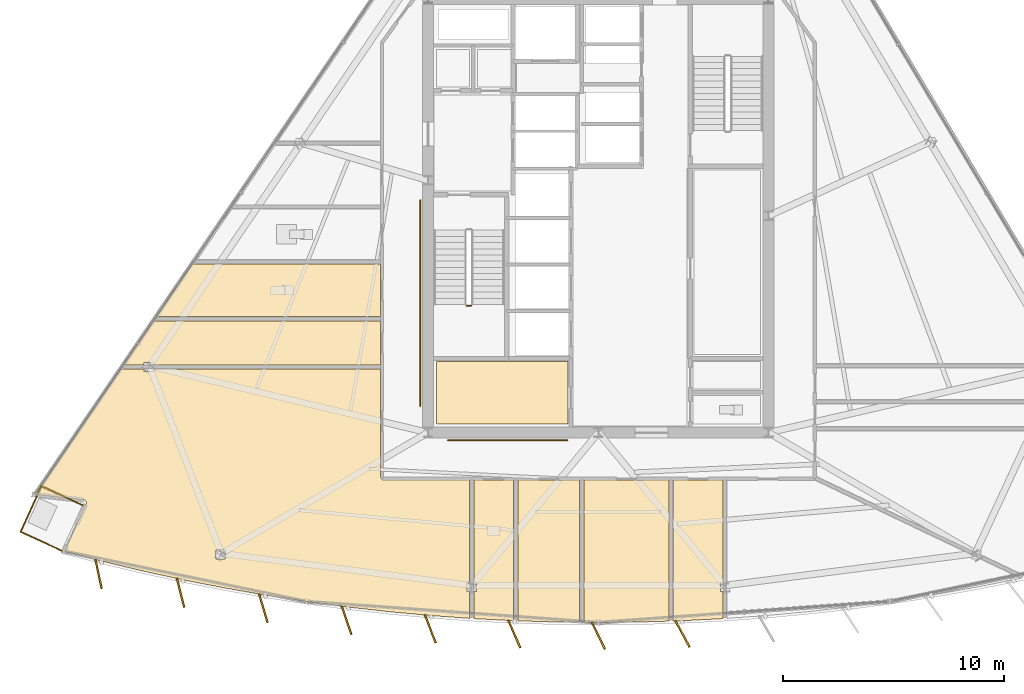
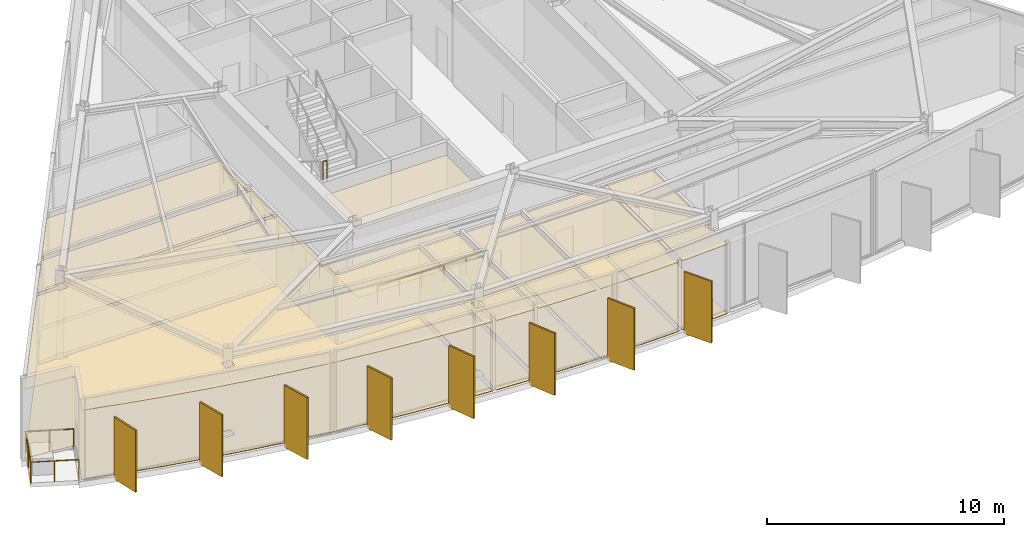
# One storey, part 10 of 13: 16 coverings, 8 shading devices, 6 railings.
"""IFC4 building model written with IfcOpenShell, lengths in metres."""

import ifcopenshell
import ifcopenshell.guid

model = None  # the IFC model being written
_history = None  # IfcOwnerHistory: only IFC2X3 demands one
_inside = {}  # id of a spatial element -> (the spatial element, [elements in it])
_under = {}  # id of a project, library or spatial element -> (it, [spatial elements below it])
_declared = {}  # id of a project -> (the project, [libraries it declares])
_typed = {}  # id of a type object -> (the type object, [elements of that type])
_made_of = {}  # id of a material, layer set ... -> (it, [elements and type objects made of it])


def new_model(schema):
    """Start an empty IFC model of exactly this schema.

    Asked for "IFC4X3", IfcOpenShell would pick the latest addendum, in which some entities
    have other attributes; the version numbers below select the first issue.
    IFC2X3 requires an IfcOwnerHistory on every rooted entity: one is made here for all.
    """
    global model, _history
    if schema == "IFC4X3":
        model = ifcopenshell.file(schema_version=(4, 3, 0, 0))
    else:
        model = ifcopenshell.file(schema=schema)
    _inside.clear()
    _under.clear()
    _declared.clear()
    _typed.clear()
    _made_of.clear()
    _history = None
    if model.schema == "IFC2X3":
        org = make("IfcOrganization", Name="unknown")
        user = make(
            "IfcPersonAndOrganization",
            ThePerson=make("IfcPerson", FamilyName="unknown"),
            TheOrganization=org,
        )
        app = make(
            "IfcApplication",
            ApplicationDeveloper=org,
            Version="unknown",
            ApplicationFullName="unknown",
            ApplicationIdentifier="unknown",
        )
        _history = make(
            "IfcOwnerHistory",
            OwningUser=user,
            OwningApplication=app,
            ChangeAction="ADDED",
            CreationDate=0,
        )
    return model


def make(cls, **values):
    """One entity of the class cls with the attributes given. An attribute that is None is left unset."""
    return model.create_entity(
        cls, **{name: value for name, value in values.items() if value is not None}
    )


def rooted(cls, **values):
    """An entity with a GlobalId (a new one), such as an element, a storey or a relation."""
    return make(cls, GlobalId=ifcopenshell.guid.new(), OwnerHistory=_history, **values)


def si_unit(unit_type, name, prefix=None):
    """IfcSIUnit, for example si_unit("LENGTHUNIT", "METRE", prefix="MILLI")."""
    return make("IfcSIUnit", UnitType=unit_type, Prefix=prefix, Name=name)


def assignment(units):
    """IfcUnitAssignment: the units of a project."""
    return None if units is None else make("IfcUnitAssignment", Units=units)


def point(xyz):
    """IfcCartesianPoint."""
    return None if xyz is None else make("IfcCartesianPoint", Coordinates=xyz)


def direction(xyz):
    """IfcDirection."""
    return None if xyz is None else make("IfcDirection", DirectionRatios=xyz)


def frame(location, z_axis=None, x_axis=None):
    """IfcAxis2Placement3D, a coordinate frame: its origin and axes. An axis left out is left unset."""
    return make(
        "IfcAxis2Placement3D",
        Location=point(location),
        Axis=direction(z_axis),
        RefDirection=direction(x_axis),
    )


def frame_2d(location, x_axis=None):
    """IfcAxis2Placement2D, a coordinate frame in the plane: its origin and x axis."""
    return make(
        "IfcAxis2Placement2D", Location=point(location), RefDirection=direction(x_axis)
    )


def origin():
    """The frame at (0, 0, 0) with its axes left unset."""
    return frame((0.0, 0.0, 0.0))


def origin_2d():
    """The frame at (0, 0) in the plane with its x axis left unset."""
    return frame_2d((0.0, 0.0))


def place(relative_to, where):
    """IfcLocalPlacement: puts the frame where relative to a parent placement (None: the world)."""
    return make(
        "IfcLocalPlacement", PlacementRelTo=relative_to, RelativePlacement=where
    )


def context(
    kind, dimensions, precision=None, world=None, true_north=None, identifier=None
):
    """IfcGeometricRepresentationContext, for example the 3D "Model" context."""
    return make(
        "IfcGeometricRepresentationContext",
        ContextIdentifier=identifier,
        ContextType=kind,
        CoordinateSpaceDimension=dimensions,
        Precision=precision,
        WorldCoordinateSystem=world,
        TrueNorth=true_north,
    )


def subcontext(parent, identifier, kind, view, scale=None):
    """IfcGeometricRepresentationSubContext, for example "Body" below "Model"."""
    return make(
        "IfcGeometricRepresentationSubContext",
        ContextIdentifier=identifier,
        ContextType=kind,
        ParentContext=parent,
        TargetScale=scale,
        TargetView=view,
    )


def project(units=None, contexts=None):
    """IfcProject with its units and contexts."""
    return rooted(
        "IfcProject",
        Name="project",
        RepresentationContexts=contexts,
        UnitsInContext=assignment(units),
    )


def spatial(cls, under=None, at=None, **own):
    """A site, building, storey or space (cls), placed at a placement, below another one or the project."""
    s = rooted(cls, ObjectPlacement=at, **own)
    if under is not None:
        _under.setdefault(under.id(), (under, []))[1].append(s)
    return s


def polyline(points):
    """IfcPolyline through the points."""
    return make("IfcPolyline", Points=[point(p) for p in points])


def profile(cls, at=None, kind="AREA", **sizes):
    """A parametric profile (cls). Its sizes go by their IFC names, for example OverallWidth=200.0."""
    return make(cls, ProfileType=kind, Position=at, **sizes)


def rectangle(**sizes):
    """IfcRectangleProfileDef."""
    return profile("IfcRectangleProfileDef", **sizes)


def circle(**sizes):
    """IfcCircleProfileDef."""
    return profile("IfcCircleProfileDef", **sizes)


def outline(outer, holes=None, kind="AREA"):
    """IfcArbitraryClosedProfileDef: a profile drawn as a closed curve; with holes, ...WithVoids."""
    if holes is None:
        return make("IfcArbitraryClosedProfileDef", ProfileType=kind, OuterCurve=outer)
    return make(
        "IfcArbitraryProfileDefWithVoids",
        ProfileType=kind,
        OuterCurve=outer,
        InnerCurves=holes,
    )


def extrude(swept, where, along, depth):
    """IfcExtrudedAreaSolid: the profile swept, set in the frame where, extruded along a direction by depth."""
    return make(
        "IfcExtrudedAreaSolid",
        SweptArea=swept,
        Position=where,
        ExtrudedDirection=direction(along),
        Depth=depth,
    )


def shape(context_of_items, identifier, shape_type, items):
    """IfcShapeRepresentation: the items that make up one representation, for example the "Body"."""
    return make(
        "IfcShapeRepresentation",
        ContextOfItems=context_of_items,
        RepresentationIdentifier=identifier,
        RepresentationType=shape_type,
        Items=items,
    )


def material(Name=None, Category=None):
    """IfcMaterial."""
    return make("IfcMaterial", Name=Name, Category=Category)


def layer(
    of_material, thickness, ventilated=None, Name=None, Category=None, Priority=None
):
    """IfcMaterialLayer: one layer of a wall or slab, of a material (None: an air gap)."""
    return make(
        "IfcMaterialLayer",
        Material=of_material,
        LayerThickness=thickness,
        IsVentilated=ventilated,
        Name=Name,
        Category=Category,
        Priority=Priority,
    )


def layer_set(layers, Name=None):
    """IfcMaterialLayerSet."""
    return make("IfcMaterialLayerSet", MaterialLayers=layers, LayerSetName=Name)


def made_of(thing, what):
    """Note that an element or type object is made of a material, layer set ...; save() writes the relation."""
    if what is not None:
        _made_of.setdefault(what.id(), (what, []))[1].append(thing)
    return thing


def type_object(cls, material=None, **own):
    """A type object (cls), such as IfcWallType, which elements share."""
    return made_of(rooted(cls, **own), material)


def element(
    cls,
    number,
    at=None,
    inside=None,
    cuts=None,
    type_object=None,
    material=None,
    context=None,
    identifier="Body",
    shape_type=None,
    held_by="IfcProductDefinitionShape",
    body=None,
    shapes=None,
    **own,
):
    """One element of the class cls, such as IfcWall. Its Tag is "e" and its number.

    at: its placement. inside: the storey or other place that contains it. cuts: it is an
    opening in that element (IfcRelVoidsElement). A single representation is given by context,
    identifier, shape_type and body (its items); several are given by shapes. held_by: the class
    of the entity that holds the representations. save() writes the other relations.
    """
    e = rooted(cls, Tag="e%d" % number, ObjectPlacement=at, **own)
    if body is not None:
        shapes = [shape(context, identifier, shape_type, body)]
    if shapes is not None:
        e.Representation = make(held_by, Representations=shapes)
    if inside is not None:
        _inside.setdefault(inside.id(), (inside, []))[1].append(e)
    if cuts is not None:
        rooted(
            "IfcRelVoidsElement", RelatingBuildingElement=cuts, RelatedOpeningElement=e
        )
    if type_object is not None:
        _typed.setdefault(type_object.id(), (type_object, []))[1].append(e)
    return made_of(e, material)


def aggregate(whole, parts):
    """IfcRelAggregates: a whole, such as a stair, and the parts it consists of."""
    return rooted("IfcRelAggregates", RelatingObject=whole, RelatedObjects=parts)


def save(model, path):
    """Write the relations noted so far, then the file.

    IfcRelAggregates (storeys below a building ...), IfcRelContainedInSpatialStructure (elements
    in a storey), IfcRelDefinesByType, IfcRelAssociatesMaterial and IfcRelDeclares: one each for
    every whole, place, type object, material and project.
    """
    for whole, parts in _under.values():
        aggregate(whole, parts)
    for where, things in _inside.values():
        rooted(
            "IfcRelContainedInSpatialStructure",
            RelatedElements=things,
            RelatingStructure=where,
        )
    for kind, things in _typed.values():
        rooted("IfcRelDefinesByType", RelatedObjects=things, RelatingType=kind)
    for what, things in _made_of.values():
        rooted("IfcRelAssociatesMaterial", RelatedObjects=things, RelatingMaterial=what)
    for by, libraries in _declared.values():
        rooted("IfcRelDeclares", RelatingContext=by, RelatedDefinitions=libraries)
    model.write(path)


model = new_model("IFC4")

# Units and contexts
model_context = context("Model", 3, precision=1e-05, world=origin(), true_north=direction((0.0, 1.0)))
body_context = subcontext(model_context, "Body", "Model", "MODEL_VIEW")
ifc_project = project(units=[si_unit("LENGTHUNIT", "METRE"), si_unit("AREAUNIT", "SQUARE_METRE"), si_unit("VOLUMEUNIT", "CUBIC_METRE"), si_unit("PLANEANGLEUNIT", "RADIAN"), si_unit("MASSUNIT", "GRAM", prefix="KILO")], contexts=[model_context])

# Site, building, storey
site_placement = place(None, origin())
site = spatial("IfcSite", under=ifc_project, at=site_placement, CompositionType="ELEMENT")
building_placement = place(site_placement, origin())
building = spatial("IfcBuilding", under=site, at=building_placement, Name="Savorim Split Tower", CompositionType="ELEMENT")
storey_placement = place(building_placement, frame((0.0, 0.0, 190.199951171875)))
storey = spatial("IfcBuildingStorey", under=building, at=storey_placement, Name="L50", CompositionType="ELEMENT", Elevation=190.199951171875)

# Coverings
ifc_material_1 = material(Name="Mineral Fibre Acoustic Ceiling")
ifc_layer_1 = layer(ifc_material_1, 0.02490234375)
ifc_layer_set_1 = layer_set([ifc_layer_1], Name="COV-CEIL-25")
covering_type_1 = type_object("IfcCoveringType", Name="COV-CEIL-25", PredefinedType="CEILING", material=ifc_layer_set_1)
covering_1_placement = place(storey_placement, frame((0.0, 0.0, 3.570068359375)))
element("IfcCovering", 1, at=covering_1_placement, inside=storey, type_object=covering_type_1, Name="L50 Housekeeping Store Acoustic Ceiling", PredefinedType="CEILING", context=body_context, shape_type="SweptSolid", body=[
    extrude(outline(polyline([(-7.320068359375, -6.179931640625), (-7.320068359375, -9.02001953125), (-1.3798828125, -9.02001953125), (-1.3798828125, -6.179931640625), (-7.320068359375, -6.179931640625)])), origin(), (0.0, 0.0, 1.0), 0.02490234375),
])
covering_2_placement = place(storey_placement, frame((0.0, 0.0, 3.570068359375)))
element("IfcCovering", 2, at=covering_2_placement, inside=storey, type_object=covering_type_1, Name="L50 Accessible WC Acoustic Ceiling", PredefinedType="CEILING", context=body_context, shape_type="SweptSolid", body=[
    extrude(outline(polyline([(-18.34814453125, -1.768798828125), (-19.97265625, -4.15673828125), (-9.840087890625, -4.15673828125), (-9.840087890625, -1.768798828125), (-18.34814453125, -1.768798828125)])), origin(), (0.0, 0.0, 1.0), 0.02490234375),
])
covering_3_placement = place(storey_placement, frame((0.0, 0.0, 3.570068359375)))
element("IfcCovering", 3, at=covering_3_placement, inside=storey, type_object=covering_type_1, Name="L50 Sky Lobby Acoustic Ceiling", PredefinedType="CEILING", context=body_context, shape_type="SweptSolid", body=[
    extrude(outline(polyline([(-20.130615234375, -6.22607421875), (-20.130615234375, -6.334716796875), (-9.840087890625, -6.334716796875), (-9.840087890625, -4.3466796875), (-20.10205078125, -4.3466796875), (-21.454345703125, -6.334716796875), (-20.548583984375, -6.334716796875), (-20.548583984375, -6.22607421875), (-20.130615234375, -6.22607421875)])), origin(), (0.0, 0.0, 1.0), 0.02490234375),
])
covering_4_placement = place(storey_placement, frame((0.0, 0.0, 3.570068359375)))
element("IfcCovering", 4, at=covering_4_placement, inside=storey, type_object=covering_type_1, Name="L50 Co-Working Commons Acoustic Ceiling", PredefinedType="CEILING", context=body_context, shape_type="SweptSolid", body=[
    extrude(outline(polyline([(-23.142822265625, -12.572998046875), (-23.143798828125, -12.5849609375), (-23.14599609375, -12.5966796875), (-23.149169921875, -12.608154296875), (-23.15380859375, -12.619384765625), (-24.1416015625, -14.769775390625), (-22.450439453125, -15.2119140625), (-20.61279296875, -15.652587890625), (-18.7666015625, -16.055419921875), (-16.912353515625, -16.420654296875), (-15.051025390625, -16.74755859375), (-13.18359375, -17.03662109375), (-11.310302734375, -17.287109375), (-9.4326171875, -17.49951171875), (-7.55078125, -17.673095703125), (-5.819091796875, -17.79736328125), (-5.819091796875, -16.581787109375), (-5.93310546875, -16.581787109375), (-5.93310546875, -16.1748046875), (-5.819091796875, -16.1748046875), (-5.819091796875, -11.5400390625), (-9.699951171875, -11.5400390625), (-9.713623046875, -11.539306640625), (-9.727294921875, -11.537353515625), (-9.740478515625, -11.533935546875), (-9.753662109375, -11.529296875), (-9.76611328125, -11.5234375), (-9.77783203125, -11.516357421875), (-9.788818359375, -11.50830078125), (-9.799072265625, -11.4990234375), (-9.80810546875, -11.48876953125), (-9.81640625, -11.477783203125), (-9.823486328125, -11.466064453125), (-9.829345703125, -11.45361328125), (-9.833984375, -11.440673828125), (-9.83740234375, -11.42724609375), (-9.83935546875, -11.413818359375), (-9.840087890625, -11.39990234375), (-9.840087890625, -6.524658203125), (-20.130615234375, -6.524658203125), (-20.130615234375, -6.633056640625), (-20.548583984375, -6.633056640625), (-20.548583984375, -6.524658203125), (-21.45849609375, -6.524658203125), (-21.553466796875, -6.524658203125), (-21.553466796875, -6.480224609375), (-25.447509765625, -12.20458984375), (-23.24951171875, -12.449951171875), (-23.237548828125, -12.451904296875), (-23.22607421875, -12.454833984375), (-23.21484375, -12.458984375), (-23.2041015625, -12.46435546875), (-23.194091796875, -12.470703125), (-23.184814453125, -12.47802734375), (-23.176025390625, -12.486328125), (-23.168212890625, -12.495361328125), (-23.161376953125, -12.5048828125), (-23.155517578125, -12.515380859375), (-23.150634765625, -12.5263671875), (-23.14697265625, -12.53759765625), (-23.144287109375, -12.54931640625), (-23.14306640625, -12.561279296875), (-23.142822265625, -12.572998046875)]), holes=[polyline([(-17.288330078125, -15.1240234375), (-16.870361328125, -15.1240234375), (-16.870361328125, -14.717041015625), (-17.288330078125, -14.717041015625), (-17.288330078125, -15.1240234375)])]), origin(), (0.0, 0.0, 1.0), 0.02490234375),
])
covering_5_placement = place(storey_placement, frame((0.0, 0.0, 3.570068359375)))
element("IfcCovering", 5, at=covering_5_placement, inside=storey, type_object=covering_type_1, Name="L50 Communal Kitchen Acoustic Ceiling", PredefinedType="CEILING", context=body_context, shape_type="SweptSolid", body=[
    extrude(outline(polyline([(-5.629150390625, -16.581787109375), (-5.629150390625, -17.754150390625), (-5.629150390625, -17.810302734375), (-3.83203125, -17.90234375), (-3.83203125, -11.5400390625), (-5.629150390625, -11.5400390625), (-5.629150390625, -16.1748046875), (-5.51513671875, -16.1748046875), (-5.51513671875, -16.581787109375), (-5.629150390625, -16.581787109375)])), origin(), (0.0, 0.0, 1.0), 0.02490234375),
])
covering_6_placement = place(storey_placement, frame((0.0, 0.0, 3.570068359375)))
element("IfcCovering", 6, at=covering_6_placement, inside=storey, type_object=covering_type_1, Name="L50 Quiet Study Room Acoustic Ceiling", PredefinedType="CEILING", context=body_context, shape_type="SweptSolid", body=[
    extrude(outline(polyline([(-3.64208984375, -11.5400390625), (-3.64208984375, -17.9091796875), (-1.8896484375, -17.962890625), (-0.844970703125, -17.9736328125), (-0.844970703125, -11.5400390625), (-3.64208984375, -11.5400390625)])), origin(), (0.0, 0.0, 1.0), 0.02490234375),
])
covering_7_placement = place(storey_placement, frame((0.0, 0.0, 3.570068359375)))
element("IfcCovering", 7, at=covering_7_placement, inside=storey, type_object=covering_type_1, Name="L50 Co-Working Commons Acoustic Ceiling", PredefinedType="CEILING", context=body_context, shape_type="SweptSolid", body=[
    extrude(outline(polyline([(-0.655029296875, -17.9755859375), (0.0, -17.982421875), (1.8896484375, -17.962890625), (3.192138671875, -17.923095703125), (3.192138671875, -11.5400390625), (-0.655029296875, -11.5400390625), (-0.655029296875, -17.9755859375)])), origin(), (0.0, 0.0, 1.0), 0.02490234375),
])
covering_8_placement = place(storey_placement, frame((0.0, 0.0, 3.570068359375)))
element("IfcCovering", 8, at=covering_8_placement, inside=storey, type_object=covering_type_1, Name="L50 Quiet Study Room Acoustic Ceiling", PredefinedType="CEILING", context=body_context, shape_type="SweptSolid", body=[
    extrude(outline(polyline([(5.629150390625, -11.5400390625), (3.382080078125, -11.5400390625), (3.382080078125, -17.917236328125), (3.778564453125, -17.905029296875), (5.629150390625, -17.810302734375), (5.629150390625, -16.581787109375), (5.51513671875, -16.581787109375), (5.51513671875, -16.1748046875), (5.629150390625, -16.1748046875), (5.629150390625, -11.5400390625)])), origin(), (0.0, 0.0, 1.0), 0.02490234375),
])
ifc_material_2 = material(Name="Porcelain Stoneware Flooring", Category="masonry")
ifc_layer_2 = layer(ifc_material_2, 0.02001953125)
ifc_layer_set_2 = layer_set([ifc_layer_2], Name="COV-FLOR-20")
covering_type_2 = type_object("IfcCoveringType", Name="COV-FLOR-20", PredefinedType="FLOORING", material=ifc_layer_set_2)
covering_9_placement = place(storey_placement, origin())
element("IfcCovering", 9, at=covering_9_placement, inside=storey, type_object=covering_type_2, Name="L50 Housekeeping Store Porcelain Flooring", PredefinedType="FLOORING", context=body_context, shape_type="SweptSolid", body=[
    extrude(outline(polyline([(-7.320068359375, -6.179931640625), (-7.320068359375, -9.02001953125), (-1.3798828125, -9.02001953125), (-1.3798828125, -6.179931640625), (-7.320068359375, -6.179931640625)])), origin(), (0.0, 0.0, 1.0), 0.02001953125),
])
covering_10_placement = place(storey_placement, origin())
element("IfcCovering", 10, at=covering_10_placement, inside=storey, type_object=covering_type_2, Name="L50 Accessible WC Porcelain Flooring", PredefinedType="FLOORING", context=body_context, shape_type="SweptSolid", body=[
    extrude(outline(polyline([(-18.34814453125, -1.768798828125), (-19.97265625, -4.15673828125), (-9.840087890625, -4.15673828125), (-9.840087890625, -1.768798828125), (-18.34814453125, -1.768798828125)])), origin(), (0.0, 0.0, 1.0), 0.02001953125),
])
covering_11_placement = place(storey_placement, origin())
element("IfcCovering", 11, at=covering_11_placement, inside=storey, type_object=covering_type_2, Name="L50 Sky Lobby Porcelain Flooring", PredefinedType="FLOORING", context=body_context, shape_type="SweptSolid", body=[
    extrude(outline(polyline([(-20.130615234375, -6.22607421875), (-20.130615234375, -6.334716796875), (-9.840087890625, -6.334716796875), (-9.840087890625, -4.3466796875), (-20.10205078125, -4.3466796875), (-21.454345703125, -6.334716796875), (-20.548583984375, -6.334716796875), (-20.548583984375, -6.22607421875), (-20.130615234375, -6.22607421875)])), origin(), (0.0, 0.0, 1.0), 0.02001953125),
])
covering_12_placement = place(storey_placement, origin())
element("IfcCovering", 12, at=covering_12_placement, inside=storey, type_object=covering_type_2, Name="L50 Co-Working Commons Porcelain Flooring", PredefinedType="FLOORING", context=body_context, shape_type="SweptSolid", body=[
    extrude(outline(polyline([(-23.142822265625, -12.572998046875), (-23.143798828125, -12.5849609375), (-23.14599609375, -12.5966796875), (-23.149169921875, -12.608154296875), (-23.15380859375, -12.619384765625), (-24.1416015625, -14.769775390625), (-22.450439453125, -15.2119140625), (-20.61279296875, -15.652587890625), (-18.7666015625, -16.055419921875), (-16.912353515625, -16.420654296875), (-15.051025390625, -16.74755859375), (-13.18359375, -17.03662109375), (-11.310302734375, -17.287109375), (-9.4326171875, -17.49951171875), (-7.55078125, -17.673095703125), (-5.819091796875, -17.79736328125), (-5.819091796875, -16.581787109375), (-5.93310546875, -16.581787109375), (-5.93310546875, -16.1748046875), (-5.819091796875, -16.1748046875), (-5.819091796875, -11.5400390625), (-9.699951171875, -11.5400390625), (-9.713623046875, -11.539306640625), (-9.727294921875, -11.537353515625), (-9.740478515625, -11.533935546875), (-9.753662109375, -11.529296875), (-9.76611328125, -11.5234375), (-9.77783203125, -11.516357421875), (-9.788818359375, -11.50830078125), (-9.799072265625, -11.4990234375), (-9.80810546875, -11.48876953125), (-9.81640625, -11.477783203125), (-9.823486328125, -11.466064453125), (-9.829345703125, -11.45361328125), (-9.833984375, -11.440673828125), (-9.83740234375, -11.42724609375), (-9.83935546875, -11.413818359375), (-9.840087890625, -11.39990234375), (-9.840087890625, -6.524658203125), (-20.130615234375, -6.524658203125), (-20.130615234375, -6.633056640625), (-20.548583984375, -6.633056640625), (-20.548583984375, -6.524658203125), (-21.45849609375, -6.524658203125), (-21.553466796875, -6.524658203125), (-21.553466796875, -6.480224609375), (-25.447509765625, -12.20458984375), (-23.24951171875, -12.449951171875), (-23.237548828125, -12.451904296875), (-23.22607421875, -12.454833984375), (-23.21484375, -12.458984375), (-23.2041015625, -12.46435546875), (-23.194091796875, -12.470703125), (-23.184814453125, -12.47802734375), (-23.176025390625, -12.486328125), (-23.168212890625, -12.495361328125), (-23.161376953125, -12.5048828125), (-23.155517578125, -12.515380859375), (-23.150634765625, -12.5263671875), (-23.14697265625, -12.53759765625), (-23.144287109375, -12.54931640625), (-23.14306640625, -12.561279296875), (-23.142822265625, -12.572998046875)]), holes=[polyline([(-17.288330078125, -15.1240234375), (-16.870361328125, -15.1240234375), (-16.870361328125, -14.717041015625), (-17.288330078125, -14.717041015625), (-17.288330078125, -15.1240234375)])]), origin(), (0.0, 0.0, 1.0), 0.02001953125),
])
covering_13_placement = place(storey_placement, origin())
element("IfcCovering", 13, at=covering_13_placement, inside=storey, type_object=covering_type_2, Name="L50 Communal Kitchen Porcelain Flooring", PredefinedType="FLOORING", context=body_context, shape_type="SweptSolid", body=[
    extrude(outline(polyline([(-5.629150390625, -16.581787109375), (-5.629150390625, -17.754150390625), (-5.629150390625, -17.810302734375), (-3.83203125, -17.90234375), (-3.83203125, -11.5400390625), (-5.629150390625, -11.5400390625), (-5.629150390625, -16.1748046875), (-5.51513671875, -16.1748046875), (-5.51513671875, -16.581787109375), (-5.629150390625, -16.581787109375)])), origin(), (0.0, 0.0, 1.0), 0.02001953125),
])
covering_14_placement = place(storey_placement, origin())
element("IfcCovering", 14, at=covering_14_placement, inside=storey, type_object=covering_type_2, Name="L50 Quiet Study Room Porcelain Flooring", PredefinedType="FLOORING", context=body_context, shape_type="SweptSolid", body=[
    extrude(outline(polyline([(-3.64208984375, -11.5400390625), (-3.64208984375, -17.9091796875), (-1.8896484375, -17.962890625), (-0.844970703125, -17.9736328125), (-0.844970703125, -11.5400390625), (-3.64208984375, -11.5400390625)])), origin(), (0.0, 0.0, 1.0), 0.02001953125),
])
covering_15_placement = place(storey_placement, origin())
element("IfcCovering", 15, at=covering_15_placement, inside=storey, type_object=covering_type_2, Name="L50 Co-Working Commons Porcelain Flooring", PredefinedType="FLOORING", context=body_context, shape_type="SweptSolid", body=[
    extrude(outline(polyline([(-0.655029296875, -17.9755859375), (0.0, -17.982421875), (1.8896484375, -17.962890625), (3.192138671875, -17.923095703125), (3.192138671875, -11.5400390625), (-0.655029296875, -11.5400390625), (-0.655029296875, -17.9755859375)])), origin(), (0.0, 0.0, 1.0), 0.02001953125),
])
covering_16_placement = place(storey_placement, origin())
element("IfcCovering", 16, at=covering_16_placement, inside=storey, type_object=covering_type_2, Name="L50 Quiet Study Room Porcelain Flooring", PredefinedType="FLOORING", context=body_context, shape_type="SweptSolid", body=[
    extrude(outline(polyline([(5.629150390625, -11.5400390625), (3.382080078125, -11.5400390625), (3.382080078125, -17.917236328125), (3.778564453125, -17.905029296875), (5.629150390625, -17.810302734375), (5.629150390625, -16.581787109375), (5.51513671875, -16.581787109375), (5.51513671875, -16.1748046875), (5.629150390625, -16.1748046875), (5.629150390625, -11.5400390625)])), origin(), (0.0, 0.0, 1.0), 0.02001953125),
])

# Railings
ifc_material_3 = material(Name="Galvanised Painted Steel Balustrade", Category="steel")
railing_type_1 = type_object("IfcRailingType", Name="RLG-BAL-1100", PredefinedType="BALUSTRADE", material=ifc_material_3)
railing_1_placement = place(storey_placement, frame((-24.26025390625, -14.740478515625, 0.0)))
element("IfcRailing", 17, at=railing_1_placement, inside=storey, type_object=railing_type_1, Name="L50 Tree Balcony Guardrail SW-1", PredefinedType="BALUSTRADE", context=body_context, shape_type="SweptSolid", body=[
    extrude(circle(Radius=0.02392578125, at=origin_2d()), frame((0.0, 0.0, 1.076171875), z_axis=(-0.908707369925, 0.417433726289, 0.0), x_axis=(-0.417433726289, -0.908707369925, 0.0)), (0.0, 0.0, 1.0), 2.050048828125),
    extrude(circle(Radius=0.02099609375, at=origin_2d()), origin(), (0.0, 0.0, 1.0), 1.052001953125),
    extrude(circle(Radius=0.02099609375, at=origin_2d()), frame((-0.931396484375, 0.427734375, 0.0)), (0.0, 0.0, 1.0), 1.052001953125),
    extrude(circle(Radius=0.02099609375, at=origin_2d()), frame((-1.86279296875, 0.855712890625, 0.0)), (0.0, 0.0, 1.0), 1.052001953125),
])
railing_2_placement = place(storey_placement, frame((-26.123046875, -13.884765625, 0.0)))
element("IfcRailing", 18, at=railing_2_placement, inside=storey, type_object=railing_type_1, Name="L50 Tree Balcony Guardrail SW-2", PredefinedType="BALUSTRADE", context=body_context, shape_type="SweptSolid", body=[
    extrude(circle(Radius=0.02392578125, at=origin_2d()), frame((0.0, 0.0, 1.076171875), z_axis=(0.417495370285, 0.908679049935, 0.0), x_axis=(-0.908679049935, 0.417495370285, 0.0)), (0.0, 0.0, 1.0), 2.26953125),
    extrude(circle(Radius=0.02099609375, at=origin_2d()), origin(), (0.0, 0.0, 1.0), 1.052001953125),
    extrude(circle(Radius=0.02099609375, at=origin_2d()), frame((0.4736328125, 1.03125, 0.0)), (0.0, 0.0, 1.0), 1.052001953125),
    extrude(circle(Radius=0.02099609375, at=origin_2d()), frame((0.947509765625, 2.062255859375, 0.0)), (0.0, 0.0, 1.0), 1.052001953125),
])
railing_3_placement = place(storey_placement, frame((-25.175537109375, -11.822509765625, 0.0)))
element("IfcRailing", 19, at=railing_3_placement, inside=storey, type_object=railing_type_1, Name="L50 Tree Balcony Guardrail SW-3", PredefinedType="BALUSTRADE", context=body_context, shape_type="SweptSolid", body=[
    extrude(circle(Radius=0.02392578125, at=origin_2d()), frame((0.0, 0.0, 1.076171875), z_axis=(0.908707369925, -0.417433726289, 0.0), x_axis=(0.417433726289, 0.908707369925, 0.0)), (0.0, 0.0, 1.0), 2.050048828125),
    extrude(circle(Radius=0.02099609375, at=origin_2d()), origin(), (0.0, 0.0, 1.0), 1.052001953125),
    extrude(circle(Radius=0.02099609375, at=origin_2d()), frame((0.931396484375, -0.427734375, 0.0)), (0.0, 0.0, 1.0), 1.052001953125),
    extrude(circle(Radius=0.02099609375, at=origin_2d()), frame((1.86279296875, -0.855712890625, 0.0)), (0.0, 0.0, 1.0), 1.052001953125),
])
railing_type_2 = type_object("IfcRailingType", Name="RLG-HR-900", PredefinedType="HANDRAIL", material=ifc_material_3)
railing_4_placement = place(storey_placement, frame((-6.800048828125, -9.75, 0.0)))
element("IfcRailing", 20, at=railing_4_placement, inside=storey, type_object=railing_type_2, Name="L50 Corridor South Accessible Handrail", PredefinedType="HANDRAIL", context=body_context, shape_type="SweptSolid", body=[
    extrude(circle(Radius=0.02392578125, at=origin_2d()), frame((0.0, 0.0, 0.8759765625), z_axis=(1.0, 0.0, 0.0), x_axis=(0.0, 1.0, 0.0)), (0.0, 0.0, 1.0), 5.400146484375),
    extrude(circle(Radius=0.02099609375, at=origin_2d()), origin(), (0.0, 0.0, 1.0), 0.851806640625),
    extrude(circle(Radius=0.02099609375, at=origin_2d()), frame((1.080078125, 0.0, 0.0)), (0.0, 0.0, 1.0), 0.851806640625),
    extrude(circle(Radius=0.02099609375, at=origin_2d()), frame((2.16015625, 0.0, 0.0)), (0.0, 0.0, 1.0), 0.851806640625),
    extrude(circle(Radius=0.02099609375, at=origin_2d()), frame((3.239990234375, 0.0, 0.0)), (0.0, 0.0, 1.0), 0.851806640625),
    extrude(circle(Radius=0.02099609375, at=origin_2d()), frame((4.320068359375, 0.0, 0.0)), (0.0, 0.0, 1.0), 0.851806640625),
    extrude(circle(Radius=0.02099609375, at=origin_2d()), frame((5.400146484375, 0.0, 0.0)), (0.0, 0.0, 1.0), 0.851806640625),
])
railing_5_placement = place(storey_placement, frame((-8.050048828125, -8.199951171875, 0.0)))
element("IfcRailing", 21, at=railing_5_placement, inside=storey, type_object=railing_type_2, Name="L50 Corridor West Accessible Handrail", PredefinedType="HANDRAIL", context=body_context, shape_type="SweptSolid", body=[
    extrude(circle(Radius=0.02392578125, at=origin_2d()), frame((0.0, 0.0, 0.8759765625), z_axis=(0.0, 1.0, 0.0), x_axis=(-1.0, 0.0, 0.0)), (0.0, 0.0, 1.0), 9.300048828125),
    extrude(circle(Radius=0.02099609375, at=origin_2d()), origin(), (0.0, 0.0, 1.0), 0.851806640625),
    extrude(circle(Radius=0.02099609375, at=origin_2d()), frame((0.0, 1.16259765625, 0.0)), (0.0, 0.0, 1.0), 0.851806640625),
    extrude(circle(Radius=0.02099609375, at=origin_2d()), frame((0.0, 2.324951171875, 0.0)), (0.0, 0.0, 1.0), 0.851806640625),
    extrude(circle(Radius=0.02099609375, at=origin_2d()), frame((0.0, 3.487548828125, 0.0)), (0.0, 0.0, 1.0), 0.851806640625),
    extrude(circle(Radius=0.02099609375, at=origin_2d()), frame((0.0, 4.64990234375, 0.0)), (0.0, 0.0, 1.0), 0.851806640625),
    extrude(circle(Radius=0.02099609375, at=origin_2d()), frame((0.0, 5.8125, 0.0)), (0.0, 0.0, 1.0), 0.851806640625),
    extrude(circle(Radius=0.02099609375, at=origin_2d()), frame((0.0, 6.97509765625, 0.0)), (0.0, 0.0, 1.0), 0.851806640625),
    extrude(circle(Radius=0.02099609375, at=origin_2d()), frame((0.0, 8.137451171875, 0.0)), (0.0, 0.0, 1.0), 0.851806640625),
    extrude(circle(Radius=0.02099609375, at=origin_2d()), frame((0.0, 9.300048828125, 0.0)), (0.0, 0.0, 1.0), 0.851806640625),
])
railing_type_3 = type_object("IfcRailingType", Name="RLG-STG-1100", PredefinedType="BALUSTRADE", material=ifc_material_3)
railing_6_placement = place(storey_placement, frame((-5.949951171875, -3.659912109375, 2.25)))
element("IfcRailing", 22, at=railing_6_placement, inside=storey, type_object=railing_type_3, Name="L50 ST-1 stair guard 2", PredefinedType="BALUSTRADE", context=body_context, shape_type="SweptSolid", body=[
    extrude(circle(Radius=0.02392578125, at=origin_2d()), frame((0.0, 0.0, 1.076171875), z_axis=(1.0, 0.0, 0.0), x_axis=(0.0, 1.0, 0.0)), (0.0, 0.0, 1.0), 0.199951171875),
    extrude(circle(Radius=0.02099609375, at=origin_2d()), origin(), (0.0, 0.0, 1.0), 1.052001953125),
    extrude(circle(Radius=0.02099609375, at=origin_2d()), frame((0.199951171875, 0.0, 0.0)), (0.0, 0.0, 1.0), 1.052001953125),
])

# Shading devices
ifc_material_4 = material(Name="Terracotta Ceramic-Coated Aluminium Fin", Category="masonry")
shading_device_type = type_object("IfcShadingDeviceType", Name="SHD-FIN-1360", PredefinedType="USERDEFINED", material=ifc_material_4)
for number, where, z_axis, x_axis, name in (
    (23, (-22.595458984375, -15.7900390625, -0.19970703125), (0.0, 0.0, 1.0), (0.206721626106, -0.978399800337, 0.0), "L50 Sawtooth Shading Fin 01"),
    (24, (-18.8876953125, -16.63916015625, -0.19970703125), (0.0, 0.0, 1.0), (0.246581250663, -0.969122121727, 0.0), "L50 Sawtooth Shading Fin 02"),
    (25, (-15.148193359375, -17.335693359375, -0.19970703125), (0.0, 0.0, 1.0), (0.286026212504, -0.958221793616, 0.0), "L50 Sawtooth Shading Fin 03"),
    (26, (-11.38330078125, -17.878662109375, -0.19970703125), (0.0, 0.0, 1.0), (0.324993810493, -0.945716143005, 0.0), "L50 Sawtooth Shading Fin 04"),
    (27, (-7.599609375, -18.26708984375, -0.19970703125), (0.0, 0.0, 1.0), (0.363415461732, -0.931627179817, 0.0), "L50 Sawtooth Shading Fin 05"),
    (28, (-3.802978515625, -18.50048828125, -0.19970703125), (0.0, 0.0, 1.0), (0.401230091723, -0.915977299662, 0.0), "L50 Sawtooth Shading Fin 06"),
    (29, (0.0, -18.578369140625, -0.19970703125), (0.0, 0.0, 1.0), (0.438371146789, -0.898794046299, 0.0), "L50 Sawtooth Shading Fin 07"),
    (30, (3.802978515625, -18.50048828125, -0.19970703125), (0.0, 0.0, 1.0), (0.474778051978, -0.880105562623, 0.0), "L50 Sawtooth Shading Fin 08"),
):
    element("IfcShadingDevice", number, at=place(storey_placement, frame(where, z_axis=z_axis, x_axis=x_axis)), inside=storey, type_object=shading_device_type, Name=name, ObjectType="FIN", PredefinedType="USERDEFINED", context=body_context, shape_type="SweptSolid", body=[
        extrude(rectangle(XDim=1.360107421875, YDim=0.080078125, at=origin_2d()), origin(), (0.0, 0.0, 1.0), 3.199951171875),
    ])

save(model, "model.ifc")
